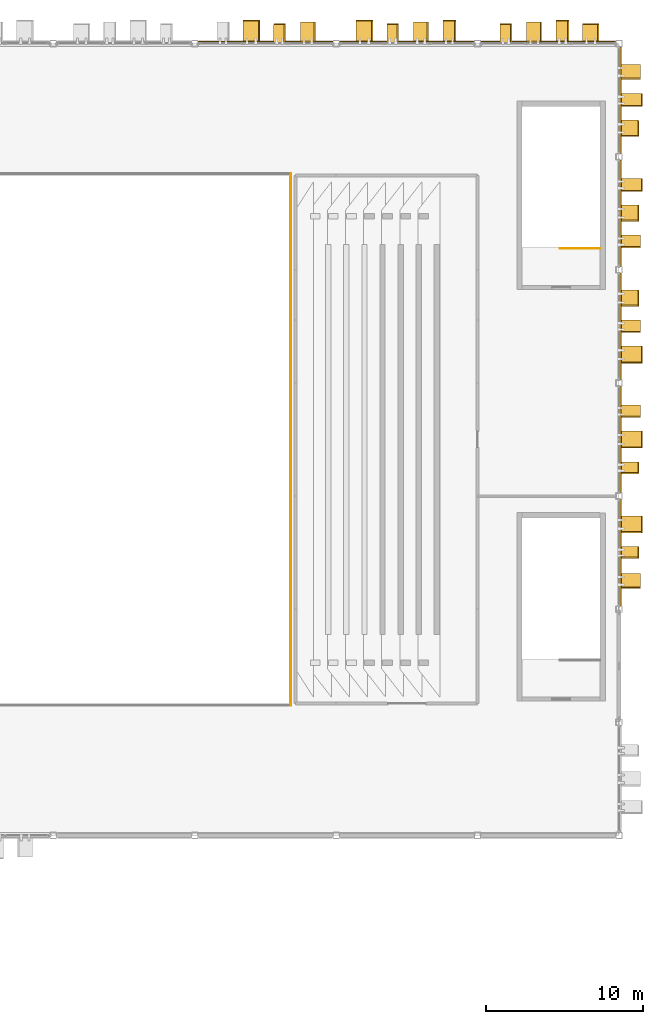
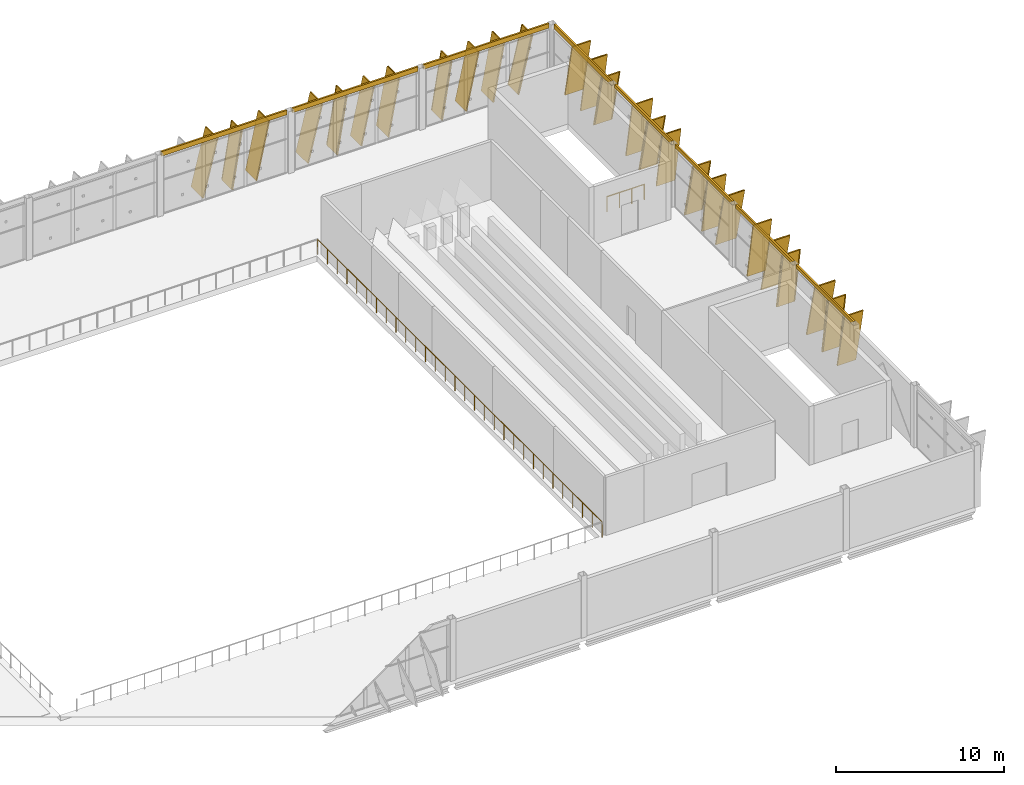
# One storey, part 151 of 151: 34 coverings, 26 shading devices, 2 railings.
"""IFC4 building model written with IfcOpenShell, lengths in metres."""

from ifc_helpers import new_model, si_unit, direction, frame, origin, origin_2d, place, context, subcontext, project, spatial, rectangle, circle, extrude, material, layer, layer_set, material_profile, profile_set, type_object, element, save


model = new_model("IFC4")

# Units and contexts
model_context = context("Model", 3, precision=1e-05, world=origin(), true_north=direction((0.0, 1.0)))
body_context = subcontext(model_context, "Body", "Model", "MODEL_VIEW")
ifc_project = project(units=[si_unit("LENGTHUNIT", "METRE"), si_unit("AREAUNIT", "SQUARE_METRE"), si_unit("VOLUMEUNIT", "CUBIC_METRE"), si_unit("PLANEANGLEUNIT", "RADIAN"), si_unit("MASSUNIT", "GRAM", prefix="KILO")], contexts=[model_context])

# Site, building, storey
site_placement = place(None, origin())
site = spatial("IfcSite", under=ifc_project, at=site_placement, CompositionType="ELEMENT")
building_placement = place(site_placement, origin())
building = spatial("IfcBuilding", under=site, at=building_placement, Name="Celestram Park Convention Centre", CompositionType="ELEMENT")
storey_placement = place(building_placement, frame((0.0, 0.0, 10.800048828125)))
storey = spatial("IfcBuildingStorey", under=building, at=storey_placement, Name="L02", CompositionType="ELEMENT", Elevation=10.800048828125)

# Coverings
ifc_material_1 = material(Name="Anodised Bronze Aluminium Spandrel Cladding", Category="aluminium")
ifc_layer_1 = layer(ifc_material_1, 0.050048828125)
ifc_layer_set_1 = layer_set([ifc_layer_1], Name="Anodised Bronze Aluminium Spandrel Cladding")
covering_type_1 = type_object("IfcCoveringType", Name="ARC-COV-CLD060", PredefinedType="CLADDING", material=ifc_layer_set_1)
for number, where, z_axis, x_axis, name in (
    (1, (193.5, 165.679931640625, 4.1640625), (0.0, 0.0, 1.0), (1.0, 0.0, 0.0), "Bronze spandrel cladding CL-L02-167"),
    (2, (202.5, 165.679931640625, 4.1640625), (0.0, 0.0, 1.0), (1.0, 0.0, 0.0), "Bronze spandrel cladding CL-L02-168"),
    (3, (211.5, 165.679931640625, 4.1640625), (0.0, 0.0, 1.0), (1.0, 0.0, 0.0), "Bronze spandrel cladding CL-L02-169"),
):
    element("IfcCovering", number, at=place(storey_placement, frame(where, z_axis=z_axis, x_axis=x_axis)), inside=storey, type_object=covering_type_1, Name=name, PredefinedType="CLADDING", context=body_context, shape_type="SweptSolid", body=[
        extrude(rectangle(XDim=8.60400390625, YDim=0.1201171875, at=origin_2d()), origin(), (0.0, 0.0, 1.0), 0.3359375),
    ])
covering_1_placement = place(storey_placement, frame((216.080078125, 162.0, 4.1640625), z_axis=(0.0, 0.0, 1.0), x_axis=(0.0, -1.0, 0.0)))
element("IfcCovering", 4, at=covering_1_placement, inside=storey, type_object=covering_type_1, Name="Bronze spandrel cladding CL-L02-170", PredefinedType="CLADDING", context=body_context, shape_type="SweptSolid", body=[
    extrude(rectangle(XDim=6.803955078125, YDim=0.1201171875, at=origin_2d()), origin(), (0.0, 0.0, 1.0), 0.3359375),
])
for number, where, z_axis, x_axis, name in (
    (5, (216.080078125, 154.800048828125, 4.23974609375), (0.0, 0.0, 1.0), (0.0, -1.0, 0.0), "Bronze spandrel cladding CL-L02-171"),
    (6, (216.080078125, 147.60009765625, 4.23974609375), (0.0, 0.0, 1.0), (0.0, -1.0, 0.0), "Bronze spandrel cladding CL-L02-172"),
    (7, (216.080078125, 140.39990234375, 4.23974609375), (0.0, 0.0, 1.0), (0.0, -1.0, 0.0), "Bronze spandrel cladding CL-L02-173"),
    (8, (216.080078125, 133.199951171875, 4.23974609375), (0.0, 0.0, 1.0), (0.0, -1.0, 0.0), "Bronze spandrel cladding CL-L02-174"),
):
    element("IfcCovering", number, at=place(storey_placement, frame(where, z_axis=z_axis, x_axis=x_axis)), inside=storey, type_object=covering_type_1, Name=name, PredefinedType="CLADDING", context=body_context, shape_type="SweptSolid", body=[
        extrude(rectangle(XDim=6.803955078125, YDim=0.1201171875, at=origin_2d()), origin(), (0.0, 0.0, 1.0), 0.260009765625),
    ])
ifc_material_2 = material(Name="Timber-Toned Anodised Aluminium Alloy 6063-T6", Category="wood")
ifc_material_profile_1 = material_profile(ifc_material_2, rectangle(XDim=1.1201171875, YDim=0.090087890625, at=origin_2d()), Name="REED1120X90")
ifc_profile_set_1 = profile_set([ifc_material_profile_1], Name="Timber-Toned Anodised Aluminium Alloy 6063-T6")
covering_type_2 = type_object("IfcCoveringType", Name="ARC-COV-FIN1120", PredefinedType="CLADDING", material=ifc_profile_set_1)
for number, where, z_axis, x_axis, name in (
    (9, (194.069580078125, 166.239990234375, 0.031494140625), (0.15986741885, 0.0, 0.98713849504), (0.0, 1.0, 0.0), "Leaning timber-toned reed fin RFN-L02-0522"),
    (10, (201.26953125, 166.239990234375, 0.031494140625), (0.15986741885, 0.0, 0.98713849504), (0.0, 1.0, 0.0), "Leaning timber-toned reed fin RFN-L02-0525"),
    (11, (208.469482421875, 166.239990234375, 0.031494140625), (0.159924965723, 0.0, 0.987129173583), (0.0, 1.0, 0.0), "Leaning timber-toned reed fin RFN-L02-0528"),
    (12, (213.720947265625, 166.239990234375, 0.061279296875), (0.231737624741, 0.0, 0.972778326896), (0.0, 1.0, 0.0), "Leaning timber-toned reed fin RFN-L02-0531"),
    (13, (216.639892578125, 160.678955078125, 0.061279296875), (0.0, -0.231737624741, 0.972778326896), (1.0, 0.0, 0.0), "Leaning timber-toned reed fin RFN-L02-0534"),
):
    element("IfcCovering", number, at=place(storey_placement, frame(where, z_axis=z_axis, x_axis=x_axis)), inside=storey, type_object=covering_type_2, Name=name, PredefinedType="CLADDING", context=body_context, shape_type="SweptSolid", body=[
        extrude(rectangle(XDim=1.1201171875, YDim=0.090087890625, at=origin_2d()), origin(), (0.0, 0.0, 1.0), 4.134033203125),
    ])
for number, where, z_axis, x_axis, name in (
    (14, (216.639892578125, 155.287841796875, 0.062255859375), (0.0, -0.231727670344, 0.972780698203), (1.0, 0.0, 0.0), "Leaning timber-toned reed fin RFN-L02-0536"),
    (15, (216.639892578125, 149.8876953125, 0.062255859375), (0.0, -0.231727670344, 0.972780698203), (1.0, 0.0, 0.0), "Leaning timber-toned reed fin RFN-L02-0538"),
    (16, (216.639892578125, 138.9365234375, 0.031982421875), (0.0, -0.159883311849, 0.987135921032), (1.0, 0.0, 0.0), "Leaning timber-toned reed fin RFN-L02-0543"),
    (17, (216.639892578125, 133.53662109375, 0.031982421875), (0.0, -0.159883311849, 0.987135921032), (1.0, 0.0, 0.0), "Leaning timber-toned reed fin RFN-L02-0545"),
):
    element("IfcCovering", number, at=place(storey_placement, frame(where, z_axis=z_axis, x_axis=x_axis)), inside=storey, type_object=covering_type_2, Name=name, PredefinedType="CLADDING", context=body_context, shape_type="SweptSolid", body=[
        extrude(rectangle(XDim=1.1201171875, YDim=0.090087890625, at=origin_2d()), origin(), (0.0, 0.0, 1.0), 4.2099609375),
    ])
ifc_material_profile_2 = material_profile(ifc_material_2, rectangle(XDim=1.280029296875, YDim=0.090087890625, at=origin_2d()), Name="REED1280X90")
ifc_profile_set_2 = profile_set([ifc_material_profile_2], Name="Timber-Toned Anodised Aluminium Alloy 6063-T6")
covering_type_3 = type_object("IfcCoveringType", Name="ARC-COV-FIN1280", PredefinedType="CLADDING", material=ifc_profile_set_2)
for number, where, z_axis, x_axis, name in (
    (18, (195.7666015625, 166.320068359375, 0.05078125), (0.209646045383, 0.0, 0.977777344622), (0.0, 1.0, 0.0), "Leaning timber-toned reed fin RFN-L02-0523"),
    (19, (202.966796875, 166.320068359375, 0.05078125), (0.209589584674, 0.0, 0.977789448704), (0.0, 1.0, 0.0), "Leaning timber-toned reed fin RFN-L02-0526"),
    (20, (210.166748046875, 166.320068359375, 0.05078125), (0.209589584674, 0.0, 0.977789448704), (0.0, 1.0, 0.0), "Leaning timber-toned reed fin RFN-L02-0529"),
    (21, (216.719970703125, 164.2333984375, 0.05078125), (0.0, -0.209646045383, 0.977777344622), (1.0, 0.0, 0.0), "Leaning timber-toned reed fin RFN-L02-0532"),
):
    element("IfcCovering", number, at=place(storey_placement, frame(where, z_axis=z_axis, x_axis=x_axis)), inside=storey, type_object=covering_type_3, Name=name, PredefinedType="CLADDING", context=body_context, shape_type="SweptSolid", body=[
        extrude(rectangle(XDim=1.280029296875, YDim=0.090087890625, at=origin_2d()), origin(), (0.0, 0.0, 1.0), 4.134033203125),
    ])
for number, where, z_axis, x_axis, name in (
    (22, (216.719970703125, 153.3583984375, 0.03564453125), (0.0, -0.170254502676, 0.985400123969), (1.0, 0.0, 0.0), "Leaning timber-toned reed fin RFN-L02-0537"),
    (23, (216.719970703125, 147.958251953125, 0.03564453125), (0.0, -0.170198194143, 0.985409851133), (1.0, 0.0, 0.0), "Leaning timber-toned reed fin RFN-L02-0539"),
    (24, (216.719970703125, 142.558349609375, 0.03564453125), (0.0, -0.170198194143, 0.985409851133), (1.0, 0.0, 0.0), "Leaning timber-toned reed fin RFN-L02-0541"),
):
    element("IfcCovering", number, at=place(storey_placement, frame(where, z_axis=z_axis, x_axis=x_axis)), inside=storey, type_object=covering_type_3, Name=name, PredefinedType="CLADDING", context=body_context, shape_type="SweptSolid", body=[
        extrude(rectangle(XDim=1.280029296875, YDim=0.090087890625, at=origin_2d()), origin(), (0.0, 0.0, 1.0), 4.210205078125),
    ])
covering_2_placement = place(storey_placement, frame((216.719970703125, 131.84130859375, 0.0517578125), z_axis=(0.0, -0.209636016486, 0.977779494872), x_axis=(1.0, 0.0, 0.0)))
element("IfcCovering", 25, at=covering_2_placement, inside=storey, type_object=covering_type_3, Name="Leaning timber-toned reed fin RFN-L02-0546", PredefinedType="CLADDING", context=body_context, shape_type="SweptSolid", body=[
    extrude(rectangle(XDim=1.280029296875, YDim=0.090087890625, at=origin_2d()), origin(), (0.0, 0.0, 1.0), 4.2099609375),
])
ifc_material_profile_3 = material_profile(ifc_material_2, rectangle(XDim=1.419921875, YDim=0.090087890625, at=origin_2d()), Name="REED1420X90")
ifc_profile_set_3 = profile_set([ifc_material_profile_3], Name="Timber-Toned Anodised Aluminium Alloy 6063-T6")
covering_type_4 = type_object("IfcCoveringType", Name="ARC-COV-FIN1420", PredefinedType="CLADDING", material=ifc_profile_set_3)
for number, where, z_axis, x_axis, name in (
    (26, (192.10693359375, 166.389892578125, 0.064697265625), (0.238531575281, 0.0, 0.971134742244), (0.0, 1.0, 0.0), "Leaning timber-toned reed fin RFN-L02-0521"),
    (27, (199.306884765625, 166.389892578125, 0.064697265625), (0.238531575281, 0.0, 0.971134742244), (0.0, 1.0, 0.0), "Leaning timber-toned reed fin RFN-L02-0524"),
):
    element("IfcCovering", number, at=place(storey_placement, frame(where, z_axis=z_axis, x_axis=x_axis)), inside=storey, type_object=covering_type_4, Name=name, PredefinedType="CLADDING", context=body_context, shape_type="SweptSolid", body=[
        extrude(rectangle(XDim=1.419921875, YDim=0.090087890625, at=origin_2d()), origin(), (0.0, 0.0, 1.0), 4.134033203125),
    ])
for number, where, z_axis, x_axis, name in (
    (28, (204.826904296875, 166.389892578125, 0.0390625), (0.18048595118, 0.0, 0.983577562486), (0.0, 1.0, 0.0), "Leaning timber-toned reed fin RFN-L02-0527"),
    (29, (212.02685546875, 166.389892578125, 0.0390625), (0.180543085931, 0.0, 0.983567076575), (0.0, 1.0, 0.0), "Leaning timber-toned reed fin RFN-L02-0530"),
    (30, (216.7900390625, 162.373046875, 0.0390625), (0.0, -0.18048595118, 0.983577562486), (1.0, 0.0, 0.0), "Leaning timber-toned reed fin RFN-L02-0533"),
):
    element("IfcCovering", number, at=place(storey_placement, frame(where, z_axis=z_axis, x_axis=x_axis)), inside=storey, type_object=covering_type_4, Name=name, PredefinedType="CLADDING", context=body_context, shape_type="SweptSolid", body=[
        extrude(rectangle(XDim=1.419921875, YDim=0.090087890625, at=origin_2d()), origin(), (0.0, 0.0, 1.0), 4.1337890625),
    ])
for number, where, z_axis, x_axis, name in (
    (31, (216.7900390625, 156.97998046875, 0.03955078125), (0.0, -0.180523295638, 0.983570709066), (1.0, 0.0, 0.0), "Leaning timber-toned reed fin RFN-L02-0535"),
    (32, (216.7900390625, 146.302001953125, 0.065673828125), (0.0, -0.238521856725, 0.971137129279), (1.0, 0.0, 0.0), "Leaning timber-toned reed fin RFN-L02-0540"),
    (33, (216.7900390625, 140.902099609375, 0.065673828125), (0.0, -0.238521856725, 0.971137129279), (1.0, 0.0, 0.0), "Leaning timber-toned reed fin RFN-L02-0542"),
    (34, (216.7900390625, 135.502197265625, 0.065673828125), (0.0, -0.238576548445, 0.971123694764), (1.0, 0.0, 0.0), "Leaning timber-toned reed fin RFN-L02-0544"),
):
    element("IfcCovering", number, at=place(storey_placement, frame(where, z_axis=z_axis, x_axis=x_axis)), inside=storey, type_object=covering_type_4, Name=name, PredefinedType="CLADDING", context=body_context, shape_type="SweptSolid", body=[
        extrude(rectangle(XDim=1.419921875, YDim=0.090087890625, at=origin_2d()), origin(), (0.0, 0.0, 1.0), 4.2099609375),
    ])

# Shading devices
ifc_material_3 = material(Name="Anodised Bronze Aluminium Alloy 6063-T6", Category="aluminium")
ifc_material_profile_4 = material_profile(ifc_material_3, rectangle(XDim=1.280029296875, YDim=0.080078125, at=origin_2d()), Name="FIN1280X80")
ifc_profile_set_4 = profile_set([ifc_material_profile_4], Name="Anodised Bronze Aluminium Alloy 6063-T6")
shading_device_type = type_object("IfcShadingDeviceType", Name="ARC-FIN-BZ1280", PredefinedType="USERDEFINED", material=ifc_profile_set_4)
for number, where, z_axis, x_axis, name in (
    (35, (192.10693359375, 166.389892578125, 0.064697265625), (0.238531575281, 0.0, 0.971134742244), (0.0, 1.0, 0.0), "Expressive solar fin FN-L02-0521"),
    (36, (194.069580078125, 166.239990234375, 0.031494140625), (0.15986741885, 0.0, 0.98713849504), (0.0, 1.0, 0.0), "Expressive solar fin FN-L02-0522"),
    (37, (195.7666015625, 166.320068359375, 0.05078125), (0.209646045383, 0.0, 0.977777344622), (0.0, 1.0, 0.0), "Expressive solar fin FN-L02-0523"),
    (38, (199.306884765625, 166.389892578125, 0.064697265625), (0.238531575281, 0.0, 0.971134742244), (0.0, 1.0, 0.0), "Expressive solar fin FN-L02-0524"),
    (39, (201.26953125, 166.239990234375, 0.031494140625), (0.15986741885, 0.0, 0.98713849504), (0.0, 1.0, 0.0), "Expressive solar fin FN-L02-0525"),
    (40, (202.966796875, 166.320068359375, 0.05078125), (0.209589584674, 0.0, 0.977789448704), (0.0, 1.0, 0.0), "Expressive solar fin FN-L02-0526"),
):
    element("IfcShadingDevice", number, at=place(storey_placement, frame(where, z_axis=z_axis, x_axis=x_axis)), inside=storey, type_object=shading_device_type, Name=name, ObjectType="SOLAR_FIN", PredefinedType="USERDEFINED", context=body_context, shape_type="SweptSolid", body=[
        extrude(rectangle(XDim=1.280029296875, YDim=0.080078125, at=origin_2d()), origin(), (0.0, 0.0, 1.0), 4.134033203125),
    ])
shading_device_1_placement = place(storey_placement, frame((204.826904296875, 166.389892578125, 0.0390625), z_axis=(0.18048595118, 0.0, 0.983577562486), x_axis=(0.0, 1.0, 0.0)))
element("IfcShadingDevice", 41, at=shading_device_1_placement, inside=storey, type_object=shading_device_type, Name="Expressive solar fin FN-L02-0527", ObjectType="SOLAR_FIN", PredefinedType="USERDEFINED", context=body_context, shape_type="SweptSolid", body=[
    extrude(rectangle(XDim=1.280029296875, YDim=0.080078125, at=origin_2d()), origin(), (0.0, 0.0, 1.0), 4.1337890625),
])
for number, where, z_axis, x_axis, name in (
    (42, (208.469482421875, 166.239990234375, 0.031494140625), (0.159924965723, 0.0, 0.987129173583), (0.0, 1.0, 0.0), "Expressive solar fin FN-L02-0528"),
    (43, (210.166748046875, 166.320068359375, 0.05078125), (0.209589584674, 0.0, 0.977789448704), (0.0, 1.0, 0.0), "Expressive solar fin FN-L02-0529"),
):
    element("IfcShadingDevice", number, at=place(storey_placement, frame(where, z_axis=z_axis, x_axis=x_axis)), inside=storey, type_object=shading_device_type, Name=name, ObjectType="SOLAR_FIN", PredefinedType="USERDEFINED", context=body_context, shape_type="SweptSolid", body=[
        extrude(rectangle(XDim=1.280029296875, YDim=0.080078125, at=origin_2d()), origin(), (0.0, 0.0, 1.0), 4.134033203125),
    ])
shading_device_2_placement = place(storey_placement, frame((212.02685546875, 166.389892578125, 0.0390625), z_axis=(0.180543085931, 0.0, 0.983567076575), x_axis=(0.0, 1.0, 0.0)))
element("IfcShadingDevice", 44, at=shading_device_2_placement, inside=storey, type_object=shading_device_type, Name="Expressive solar fin FN-L02-0530", ObjectType="SOLAR_FIN", PredefinedType="USERDEFINED", context=body_context, shape_type="SweptSolid", body=[
    extrude(rectangle(XDim=1.280029296875, YDim=0.080078125, at=origin_2d()), origin(), (0.0, 0.0, 1.0), 4.1337890625),
])
for number, where, z_axis, x_axis, name in (
    (45, (213.720947265625, 166.239990234375, 0.061279296875), (0.231737624741, 0.0, 0.972778326896), (0.0, 1.0, 0.0), "Expressive solar fin FN-L02-0531"),
    (46, (216.719970703125, 164.2333984375, 0.05078125), (0.0, -0.209646045383, 0.977777344622), (1.0, 0.0, 0.0), "Expressive solar fin FN-L02-0532"),
):
    element("IfcShadingDevice", number, at=place(storey_placement, frame(where, z_axis=z_axis, x_axis=x_axis)), inside=storey, type_object=shading_device_type, Name=name, ObjectType="SOLAR_FIN", PredefinedType="USERDEFINED", context=body_context, shape_type="SweptSolid", body=[
        extrude(rectangle(XDim=1.280029296875, YDim=0.080078125, at=origin_2d()), origin(), (0.0, 0.0, 1.0), 4.134033203125),
    ])
shading_device_3_placement = place(storey_placement, frame((216.7900390625, 162.373046875, 0.0390625), z_axis=(0.0, -0.18048595118, 0.983577562486), x_axis=(1.0, 0.0, 0.0)))
element("IfcShadingDevice", 47, at=shading_device_3_placement, inside=storey, type_object=shading_device_type, Name="Expressive solar fin FN-L02-0533", ObjectType="SOLAR_FIN", PredefinedType="USERDEFINED", context=body_context, shape_type="SweptSolid", body=[
    extrude(rectangle(XDim=1.280029296875, YDim=0.080078125, at=origin_2d()), origin(), (0.0, 0.0, 1.0), 4.1337890625),
])
shading_device_4_placement = place(storey_placement, frame((216.639892578125, 160.678955078125, 0.061279296875), z_axis=(0.0, -0.231737624741, 0.972778326896), x_axis=(1.0, 0.0, 0.0)))
element("IfcShadingDevice", 48, at=shading_device_4_placement, inside=storey, type_object=shading_device_type, Name="Expressive solar fin FN-L02-0534", ObjectType="SOLAR_FIN", PredefinedType="USERDEFINED", context=body_context, shape_type="SweptSolid", body=[
    extrude(rectangle(XDim=1.280029296875, YDim=0.080078125, at=origin_2d()), origin(), (0.0, 0.0, 1.0), 4.134033203125),
])
for number, where, z_axis, x_axis, name in (
    (49, (216.7900390625, 156.97998046875, 0.03955078125), (0.0, -0.180523295638, 0.983570709066), (1.0, 0.0, 0.0), "Expressive solar fin FN-L02-0535"),
    (50, (216.639892578125, 155.287841796875, 0.062255859375), (0.0, -0.231727670344, 0.972780698203), (1.0, 0.0, 0.0), "Expressive solar fin FN-L02-0536"),
):
    element("IfcShadingDevice", number, at=place(storey_placement, frame(where, z_axis=z_axis, x_axis=x_axis)), inside=storey, type_object=shading_device_type, Name=name, ObjectType="SOLAR_FIN", PredefinedType="USERDEFINED", context=body_context, shape_type="SweptSolid", body=[
        extrude(rectangle(XDim=1.280029296875, YDim=0.080078125, at=origin_2d()), origin(), (0.0, 0.0, 1.0), 4.2099609375),
    ])
shading_device_5_placement = place(storey_placement, frame((216.719970703125, 153.3583984375, 0.03564453125), z_axis=(0.0, -0.170254502676, 0.985400123969), x_axis=(1.0, 0.0, 0.0)))
element("IfcShadingDevice", 51, at=shading_device_5_placement, inside=storey, type_object=shading_device_type, Name="Expressive solar fin FN-L02-0537", ObjectType="SOLAR_FIN", PredefinedType="USERDEFINED", context=body_context, shape_type="SweptSolid", body=[
    extrude(rectangle(XDim=1.280029296875, YDim=0.080078125, at=origin_2d()), origin(), (0.0, 0.0, 1.0), 4.210205078125),
])
shading_device_6_placement = place(storey_placement, frame((216.639892578125, 149.8876953125, 0.062255859375), z_axis=(0.0, -0.231727670344, 0.972780698203), x_axis=(1.0, 0.0, 0.0)))
element("IfcShadingDevice", 52, at=shading_device_6_placement, inside=storey, type_object=shading_device_type, Name="Expressive solar fin FN-L02-0538", ObjectType="SOLAR_FIN", PredefinedType="USERDEFINED", context=body_context, shape_type="SweptSolid", body=[
    extrude(rectangle(XDim=1.280029296875, YDim=0.080078125, at=origin_2d()), origin(), (0.0, 0.0, 1.0), 4.2099609375),
])
shading_device_7_placement = place(storey_placement, frame((216.719970703125, 147.958251953125, 0.03564453125), z_axis=(0.0, -0.170198194143, 0.985409851133), x_axis=(1.0, 0.0, 0.0)))
element("IfcShadingDevice", 53, at=shading_device_7_placement, inside=storey, type_object=shading_device_type, Name="Expressive solar fin FN-L02-0539", ObjectType="SOLAR_FIN", PredefinedType="USERDEFINED", context=body_context, shape_type="SweptSolid", body=[
    extrude(rectangle(XDim=1.280029296875, YDim=0.080078125, at=origin_2d()), origin(), (0.0, 0.0, 1.0), 4.210205078125),
])
shading_device_8_placement = place(storey_placement, frame((216.7900390625, 146.302001953125, 0.065673828125), z_axis=(0.0, -0.238521856725, 0.971137129279), x_axis=(1.0, 0.0, 0.0)))
element("IfcShadingDevice", 54, at=shading_device_8_placement, inside=storey, type_object=shading_device_type, Name="Expressive solar fin FN-L02-0540", ObjectType="SOLAR_FIN", PredefinedType="USERDEFINED", context=body_context, shape_type="SweptSolid", body=[
    extrude(rectangle(XDim=1.280029296875, YDim=0.080078125, at=origin_2d()), origin(), (0.0, 0.0, 1.0), 4.2099609375),
])
shading_device_9_placement = place(storey_placement, frame((216.719970703125, 142.558349609375, 0.03564453125), z_axis=(0.0, -0.170198194143, 0.985409851133), x_axis=(1.0, 0.0, 0.0)))
element("IfcShadingDevice", 55, at=shading_device_9_placement, inside=storey, type_object=shading_device_type, Name="Expressive solar fin FN-L02-0541", ObjectType="SOLAR_FIN", PredefinedType="USERDEFINED", context=body_context, shape_type="SweptSolid", body=[
    extrude(rectangle(XDim=1.280029296875, YDim=0.080078125, at=origin_2d()), origin(), (0.0, 0.0, 1.0), 4.210205078125),
])
for number, where, z_axis, x_axis, name in (
    (56, (216.7900390625, 140.902099609375, 0.065673828125), (0.0, -0.238521856725, 0.971137129279), (1.0, 0.0, 0.0), "Expressive solar fin FN-L02-0542"),
    (57, (216.639892578125, 138.9365234375, 0.031982421875), (0.0, -0.159883311849, 0.987135921032), (1.0, 0.0, 0.0), "Expressive solar fin FN-L02-0543"),
    (58, (216.7900390625, 135.502197265625, 0.065673828125), (0.0, -0.238576548445, 0.971123694764), (1.0, 0.0, 0.0), "Expressive solar fin FN-L02-0544"),
    (59, (216.639892578125, 133.53662109375, 0.031982421875), (0.0, -0.159883311849, 0.987135921032), (1.0, 0.0, 0.0), "Expressive solar fin FN-L02-0545"),
    (60, (216.719970703125, 131.84130859375, 0.0517578125), (0.0, -0.209636016486, 0.977779494872), (1.0, 0.0, 0.0), "Expressive solar fin FN-L02-0546"),
):
    element("IfcShadingDevice", number, at=place(storey_placement, frame(where, z_axis=z_axis, x_axis=x_axis)), inside=storey, type_object=shading_device_type, Name=name, ObjectType="SOLAR_FIN", PredefinedType="USERDEFINED", context=body_context, shape_type="SweptSolid", body=[
        extrude(rectangle(XDim=1.280029296875, YDim=0.080078125, at=origin_2d()), origin(), (0.0, 0.0, 1.0), 4.2099609375),
    ])

# Railings
ifc_material_4 = material(Name="Powder-Coated Steel ASTM A500 Grade B", Category="steel")
ifc_layer_2 = layer(ifc_material_4, 0.06005859375)
ifc_layer_set_2 = layer_set([ifc_layer_2], Name="Powder-Coated Steel ASTM A500 Grade B")
railing_type_1 = type_object("IfcRailingType", Name="ARC-RL-BAL1120", PredefinedType="BALUSTRADE", material=ifc_layer_set_2)
railing_1_placement = place(storey_placement, frame((195.1201171875, 123.47998046875, 0.0)))
element("IfcRailing", 61, at=railing_1_placement, inside=storey, type_object=railing_type_1, Name="Atrium/balcony balustrade RL-L02-VB028", PredefinedType="BALUSTRADE", context=body_context, shape_type="SweptSolid", body=[
    extrude(circle(Radius=0.02392578125, at=origin_2d()), frame((0.0, 0.0, 1.09619140625), z_axis=(0.0, 1.0, 0.0), x_axis=(-1.0, 0.0, 0.0)), (0.0, 0.0, 1.0), 33.840087890625),
    extrude(circle(Radius=0.02099609375, at=origin_2d()), origin(), (0.0, 0.0, 1.0), 1.072021484375),
    extrude(circle(Radius=0.02099609375, at=origin_2d()), frame((0.0, 1.1669921875, 0.0)), (0.0, 0.0, 1.0), 1.072021484375),
    extrude(circle(Radius=0.02099609375, at=origin_2d()), frame((0.0, 2.333740234375, 0.0)), (0.0, 0.0, 1.0), 1.072021484375),
    extrude(circle(Radius=0.02099609375, at=origin_2d()), frame((0.0, 3.500732421875, 0.0)), (0.0, 0.0, 1.0), 1.072021484375),
    extrude(circle(Radius=0.02099609375, at=origin_2d()), frame((0.0, 4.66748046875, 0.0)), (0.0, 0.0, 1.0), 1.072021484375),
    extrude(circle(Radius=0.02099609375, at=origin_2d()), frame((0.0, 5.83447265625, 0.0)), (0.0, 0.0, 1.0), 1.072021484375),
    extrude(circle(Radius=0.02099609375, at=origin_2d()), frame((0.0, 7.00146484375, 0.0)), (0.0, 0.0, 1.0), 1.072021484375),
    extrude(circle(Radius=0.02099609375, at=origin_2d()), frame((0.0, 8.168212890625, 0.0)), (0.0, 0.0, 1.0), 1.072021484375),
    extrude(circle(Radius=0.02099609375, at=origin_2d()), frame((0.0, 9.335205078125, 0.0)), (0.0, 0.0, 1.0), 1.072021484375),
    extrude(circle(Radius=0.02099609375, at=origin_2d()), frame((0.0, 10.502197265625, 0.0)), (0.0, 0.0, 1.0), 1.072021484375),
    extrude(circle(Radius=0.02099609375, at=origin_2d()), frame((0.0, 11.6689453125, 0.0)), (0.0, 0.0, 1.0), 1.072021484375),
    extrude(circle(Radius=0.02099609375, at=origin_2d()), frame((0.0, 12.8359375, 0.0)), (0.0, 0.0, 1.0), 1.072021484375),
    extrude(circle(Radius=0.02099609375, at=origin_2d()), frame((0.0, 14.002685546875, 0.0)), (0.0, 0.0, 1.0), 1.072021484375),
    extrude(circle(Radius=0.02099609375, at=origin_2d()), frame((0.0, 15.169677734375, 0.0)), (0.0, 0.0, 1.0), 1.072021484375),
    extrude(circle(Radius=0.02099609375, at=origin_2d()), frame((0.0, 16.336669921875, 0.0)), (0.0, 0.0, 1.0), 1.072021484375),
    extrude(circle(Radius=0.02099609375, at=origin_2d()), frame((0.0, 17.50341796875, 0.0)), (0.0, 0.0, 1.0), 1.072021484375),
    extrude(circle(Radius=0.02099609375, at=origin_2d()), frame((0.0, 18.67041015625, 0.0)), (0.0, 0.0, 1.0), 1.072021484375),
    extrude(circle(Radius=0.02099609375, at=origin_2d()), frame((0.0, 19.83740234375, 0.0)), (0.0, 0.0, 1.0), 1.072021484375),
    extrude(circle(Radius=0.02099609375, at=origin_2d()), frame((0.0, 21.004150390625, 0.0)), (0.0, 0.0, 1.0), 1.072021484375),
    extrude(circle(Radius=0.02099609375, at=origin_2d()), frame((0.0, 22.171142578125, 0.0)), (0.0, 0.0, 1.0), 1.072021484375),
    extrude(circle(Radius=0.02099609375, at=origin_2d()), frame((0.0, 23.337890625, 0.0)), (0.0, 0.0, 1.0), 1.072021484375),
    extrude(circle(Radius=0.02099609375, at=origin_2d()), frame((0.0, 24.5048828125, 0.0)), (0.0, 0.0, 1.0), 1.072021484375),
    extrude(circle(Radius=0.02099609375, at=origin_2d()), frame((0.0, 25.671875, 0.0)), (0.0, 0.0, 1.0), 1.072021484375),
    extrude(circle(Radius=0.02099609375, at=origin_2d()), frame((0.0, 26.838623046875, 0.0)), (0.0, 0.0, 1.0), 1.072021484375),
    extrude(circle(Radius=0.02099609375, at=origin_2d()), frame((0.0, 28.005615234375, 0.0)), (0.0, 0.0, 1.0), 1.072021484375),
    extrude(circle(Radius=0.02099609375, at=origin_2d()), frame((0.0, 29.172607421875, 0.0)), (0.0, 0.0, 1.0), 1.072021484375),
    extrude(circle(Radius=0.02099609375, at=origin_2d()), frame((0.0, 30.33935546875, 0.0)), (0.0, 0.0, 1.0), 1.072021484375),
    extrude(circle(Radius=0.02099609375, at=origin_2d()), frame((0.0, 31.50634765625, 0.0)), (0.0, 0.0, 1.0), 1.072021484375),
    extrude(circle(Radius=0.02099609375, at=origin_2d()), frame((0.0, 32.673095703125, 0.0)), (0.0, 0.0, 1.0), 1.072021484375),
    extrude(circle(Radius=0.02099609375, at=origin_2d()), frame((0.0, 33.840087890625, 0.0)), (0.0, 0.0, 1.0), 1.072021484375),
])
ifc_material_5 = material(Name="Stainless Steel AISI 316L & Laminated Glass", Category="steel")
ifc_layer_3 = layer(ifc_material_5, 0.06005859375)
ifc_layer_set_3 = layer_set([ifc_layer_3], Name="Stainless Steel AISI 316L & Laminated Glass")
railing_type_2 = type_object("IfcRailingType", Name="ARC-RL-GRD1120", PredefinedType="GUARDRAIL", material=ifc_layer_set_3)
railing_2_placement = place(storey_placement, frame((214.800048828125, 152.550048828125, 0.0)))
element("IfcRailing", 62, at=railing_2_placement, inside=storey, type_object=railing_type_2, Name="L02 ST-07 top well guard 1", PredefinedType="GUARDRAIL", context=body_context, shape_type="SweptSolid", body=[
    extrude(circle(Radius=0.02392578125, at=origin_2d()), frame((0.0, 0.0, 1.09619140625), z_axis=(-1.0, 0.0, 0.0), x_axis=(0.0, -1.0, 0.0)), (0.0, 0.0, 1.0), 2.56005859375),
    extrude(circle(Radius=0.02099609375, at=origin_2d()), origin(), (0.0, 0.0, 1.0), 1.072021484375),
    extrude(circle(Radius=0.02099609375, at=origin_2d()), frame((-0.853271484375, 0.0, 0.0)), (0.0, 0.0, 1.0), 1.072021484375),
    extrude(circle(Radius=0.02099609375, at=origin_2d()), frame((-1.706787109375, 0.0, 0.0)), (0.0, 0.0, 1.0), 1.072021484375),
    extrude(circle(Radius=0.02099609375, at=origin_2d()), frame((-2.56005859375, 0.0, 0.0)), (0.0, 0.0, 1.0), 1.072021484375),
])

save(model, "model.ifc")
